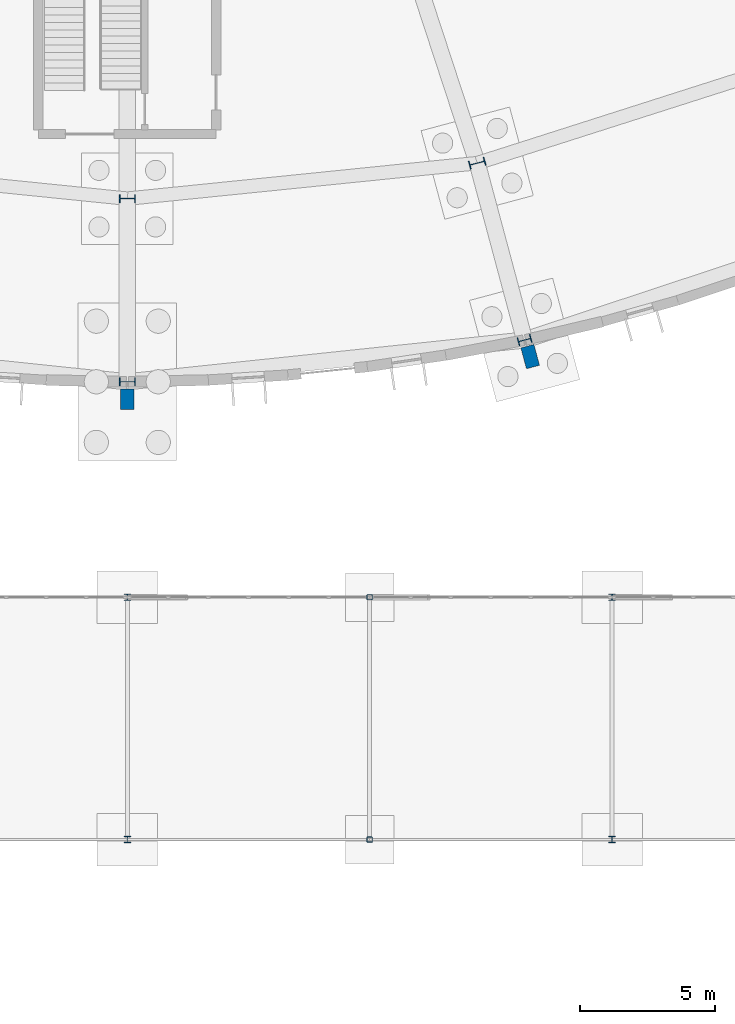
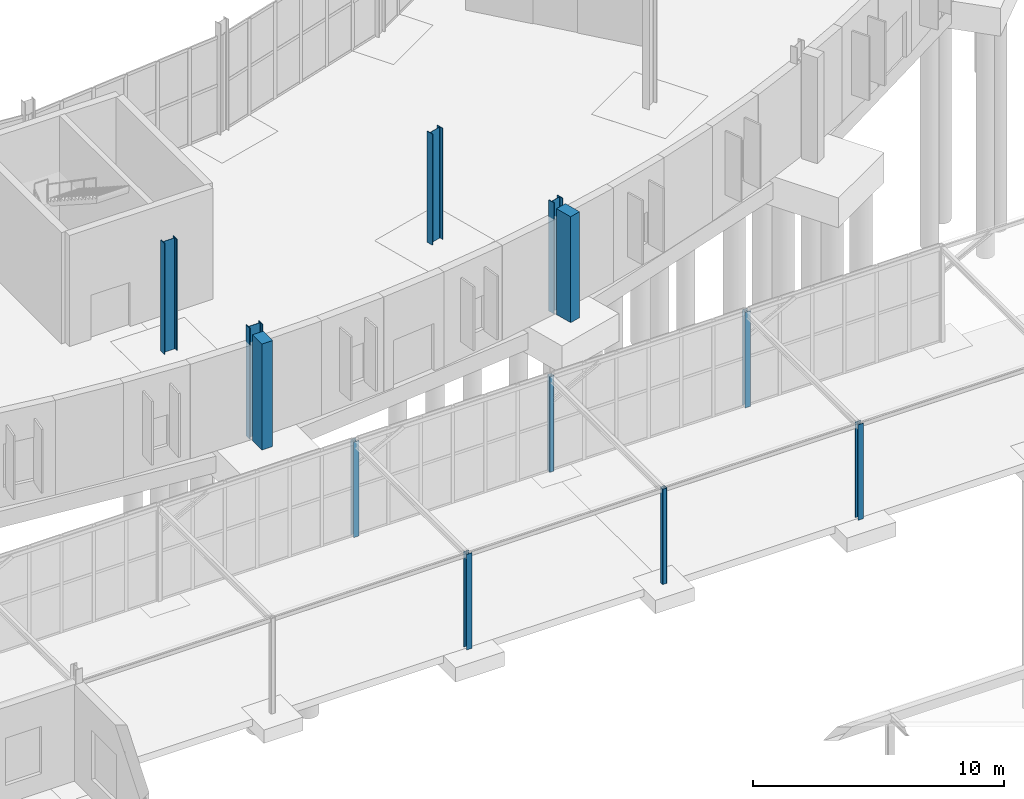
# One storey, part 22 of 118: 12 columns.
"""IFC4 building model written with IfcOpenShell, lengths in metres."""

from ifc_helpers import new_model, si_unit, direction, frame, origin, origin_2d, place, context, subcontext, project, spatial, rectangle, hollow_rectangle, i_section, extrude, material, material_profile, profile_set, type_object, element, save


model = new_model("IFC4")

# Units and contexts
model_context = context("Model", 3, precision=1e-05, world=origin(), true_north=direction((0.0, 1.0)))
body_context = subcontext(model_context, "Body", "Model", "MODEL_VIEW")
ifc_project = project(units=[si_unit("LENGTHUNIT", "METRE"), si_unit("AREAUNIT", "SQUARE_METRE"), si_unit("VOLUMEUNIT", "CUBIC_METRE"), si_unit("PLANEANGLEUNIT", "RADIAN"), si_unit("MASSUNIT", "GRAM", prefix="KILO")], contexts=[model_context])

# Site, building, storey
site_placement = place(None, origin())
site = spatial("IfcSite", under=ifc_project, at=site_placement, CompositionType="ELEMENT")
building_placement = place(site_placement, origin())
building = spatial("IfcBuilding", under=site, at=building_placement, Name="Kildeholm Park Wholesale Market", CompositionType="ELEMENT")
storey_placement = place(building_placement, origin())
storey = spatial("IfcBuildingStorey", under=building, at=storey_placement, Name="L00", CompositionType="ELEMENT", Elevation=0.0)

# Columns
ifc_material_1 = material(Name="Steel S355", Category="steel")
ifc_material_profile_1 = material_profile(ifc_material_1, i_section(OverallWidth=0.239990234375, OverallDepth=0.239990234375, WebThickness=0.010009765625, FlangeThickness=0.01708984375, FilletRadius=0.02099609375, at=origin_2d()), Name="HEB 240")
ifc_profile_set_1 = profile_set([ifc_material_profile_1], Name="Steel S355")
column_type_1 = type_object("IfcColumnType", Name="Column C-S01 HEB 240", PredefinedType="COLUMN", material=ifc_profile_set_1)
for number, where, z_axis, x_axis, name in (
    (1, (99.0, 27.0, 0.0), (0.0, 0.0, 1.0), (1.0, 0.0, 0.0), "Public passage column 099-027 COL-0890"),
    (2, (99.0, 36.0, 0.0), (0.0, 0.0, 1.0), (1.0, 0.0, 0.0), "Public passage column 099-036 COL-0891"),
    (3, (117.0, 27.0, 0.0), (0.0, 0.0, 1.0), (1.0, 0.0, 0.0), "Public passage column 117-027 COL-0894"),
    (4, (117.0, 36.0, 0.0), (0.0, 0.0, 1.0), (1.0, 0.0, 0.0), "Public passage column 117-036 COL-0895"),
):
    element("IfcColumn", number, at=place(storey_placement, frame(where, z_axis=z_axis, x_axis=x_axis)), inside=storey, type_object=column_type_1, Name=name, PredefinedType="COLUMN", context=body_context, shape_type="SweptSolid", body=[
        extrude(i_section(OverallWidth=0.239990234375, OverallDepth=0.239990234375, WebThickness=0.010009765625, FlangeThickness=0.01708984375, FilletRadius=0.02099609375, at=origin_2d()), origin(), (0.0, 0.0, 1.0), 4.639892578125),
    ])
ifc_material_profile_2 = material_profile(ifc_material_1, i_section(OverallWidth=0.300048828125, OverallDepth=0.5, WebThickness=0.014404296875, FlangeThickness=0.028076171875, FilletRadius=0.027099609375, at=origin_2d()), Name="HEB 500")
ifc_profile_set_2 = profile_set([ifc_material_profile_2], Name="Steel S355")
column_type_2 = type_object("IfcColumnType", Name="Column C-S07 HEB 500", PredefinedType="COLUMN", material=ifc_profile_set_2)
column_1_placement = place(storey_placement, frame((113.7529296875, 45.550048828125, 0.0), z_axis=(0.0, 0.0, 1.0), x_axis=(0.258819045103, -0.965925826289, 0.0)))
element("IfcColumn", 5, at=column_1_placement, inside=storey, type_object=column_type_2, Name="Column V1-OT-19 L00 COL-0178", PredefinedType="COLUMN", context=body_context, shape_type="SweptSolid", body=[
    extrude(i_section(OverallWidth=0.300048828125, OverallDepth=0.5, WebThickness=0.014404296875, FlangeThickness=0.028076171875, FilletRadius=0.027099609375, at=origin_2d()), origin(), (0.0, 0.0, 1.0), 5.39990234375),
])
ifc_material_profile_3 = material_profile(ifc_material_1, i_section(OverallWidth=0.300048828125, OverallDepth=0.60009765625, WebThickness=0.015380859375, FlangeThickness=0.030029296875, FilletRadius=0.027099609375, at=origin_2d()), Name="HEB 600")
ifc_profile_set_3 = profile_set([ifc_material_profile_3], Name="Steel S355")
column_type_3 = type_object("IfcColumnType", Name="Column C-S08 HEB 600", PredefinedType="COLUMN", material=ifc_profile_set_3)
for number, where, z_axis, x_axis, name in (
    (6, (99.0, 50.800048828125, 0.0), (0.0, 0.0, 1.0), (0.0, -1.0, 0.0), "Column V1-MD-18 L00 COL-0166"),
    (7, (99.0, 44.0, 0.0), (0.0, 0.0, 1.0), (0.0, -1.0, 0.0), "Column V1-OT-18 L00 COL-0169"),
    (8, (111.992919921875, 52.118896484375, 0.0), (0.0, 0.0, 1.0), (0.258819045103, -0.965925826289, 0.0), "Column V1-MD-19 L00 COL-0175"),
):
    element("IfcColumn", number, at=place(storey_placement, frame(where, z_axis=z_axis, x_axis=x_axis)), inside=storey, type_object=column_type_3, Name=name, PredefinedType="COLUMN", context=body_context, shape_type="SweptSolid", body=[
        extrude(i_section(OverallWidth=0.300048828125, OverallDepth=0.60009765625, WebThickness=0.015380859375, FlangeThickness=0.030029296875, FilletRadius=0.027099609375, at=origin_2d()), origin(), (0.0, 0.0, 1.0), 5.39990234375),
    ])
ifc_material_profile_4 = material_profile(ifc_material_1, hollow_rectangle(XDim=0.199951171875, YDim=0.199951171875, WallThickness=0.012451171875, InnerFilletRadius=0.012451171875, OuterFilletRadius=0.02490234375, at=origin_2d()), Name="SHS 200x200x12.5")
ifc_profile_set_4 = profile_set([ifc_material_profile_4], Name="Steel S355")
column_type_4 = type_object("IfcColumnType", Name="Column C-S12 SHS 200x200x12.5", PredefinedType="COLUMN", material=ifc_profile_set_4)
for number, where, z_axis, x_axis, name in (
    (9, (108.0, 27.0, 0.0), (0.0, 0.0, 1.0), (1.0, 0.0, 0.0), "Public passage column 108-027 COL-0892"),
    (10, (108.0, 36.0, 0.0), (0.0, 0.0, 1.0), (1.0, 0.0, 0.0), "Public passage column 108-036 COL-0893"),
):
    element("IfcColumn", number, at=place(storey_placement, frame(where, z_axis=z_axis, x_axis=x_axis)), inside=storey, type_object=column_type_4, Name=name, PredefinedType="COLUMN", context=body_context, shape_type="SweptSolid", body=[
        extrude(hollow_rectangle(XDim=0.199951171875, YDim=0.199951171875, WallThickness=0.012451171875, InnerFilletRadius=0.012451171875, OuterFilletRadius=0.02490234375, at=origin_2d()), origin(), (0.0, 0.0, 1.0), 4.639892578125),
    ])
ifc_material_2 = material(Name="Precast concrete C40/50", Category="concrete")
ifc_material_profile_5 = material_profile(ifc_material_2, rectangle(XDim=0.800048828125, YDim=0.5, at=origin_2d()), Name="PIL 800x500")
ifc_profile_set_5 = profile_set([ifc_material_profile_5], Name="Precast concrete C40/50")
column_type_5 = type_object("IfcColumnType", Name="Column PL-M01 PIL 800x500", PredefinedType="PILASTER", material=ifc_profile_set_5)
column_2_placement = place(storey_placement, frame((113.9599609375, 44.93408203125, 0.0), z_axis=(0.0, 0.0, 1.0), x_axis=(0.258819045103, -0.965925826289, 0.0)))
element("IfcColumn", 11, at=column_2_placement, inside=storey, type_object=column_type_5, Name="Market ring pilaster 20 COL-0180", PredefinedType="PILASTER", context=body_context, shape_type="SweptSolid", body=[
    extrude(rectangle(XDim=0.800048828125, YDim=0.5, at=origin_2d()), origin(), (0.0, 0.0, 1.0), 5.14990234375),
])
ifc_material_profile_6 = material_profile(ifc_material_2, rectangle(XDim=0.75, YDim=0.5, at=origin_2d()), Name="PIL 750x500")
ifc_profile_set_6 = profile_set([ifc_material_profile_6], Name="Precast concrete C40/50")
column_type_6 = type_object("IfcColumnType", Name="Column PL-M02 PIL 750x500", PredefinedType="PILASTER", material=ifc_profile_set_6)
column_3_placement = place(storey_placement, frame((99.0, 43.35009765625, 0.0), z_axis=(0.0, 0.0, 1.0), x_axis=(0.0, -1.0, 0.0)))
element("IfcColumn", 12, at=column_3_placement, inside=storey, type_object=column_type_6, Name="Market ring pilaster 19 COL-0171", PredefinedType="PILASTER", context=body_context, shape_type="SweptSolid", body=[
    extrude(rectangle(XDim=0.75, YDim=0.5, at=origin_2d()), origin(), (0.0, 0.0, 1.0), 5.14990234375),
])

save(model, "model.ifc")
